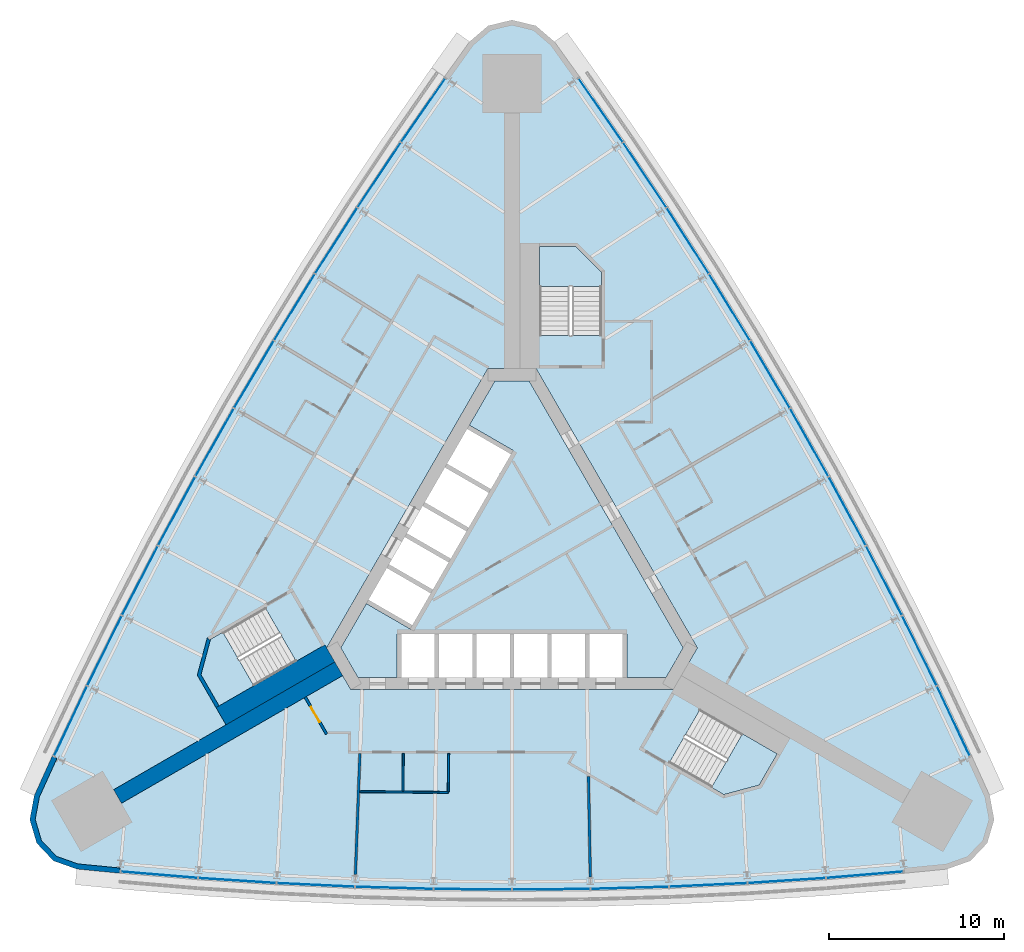
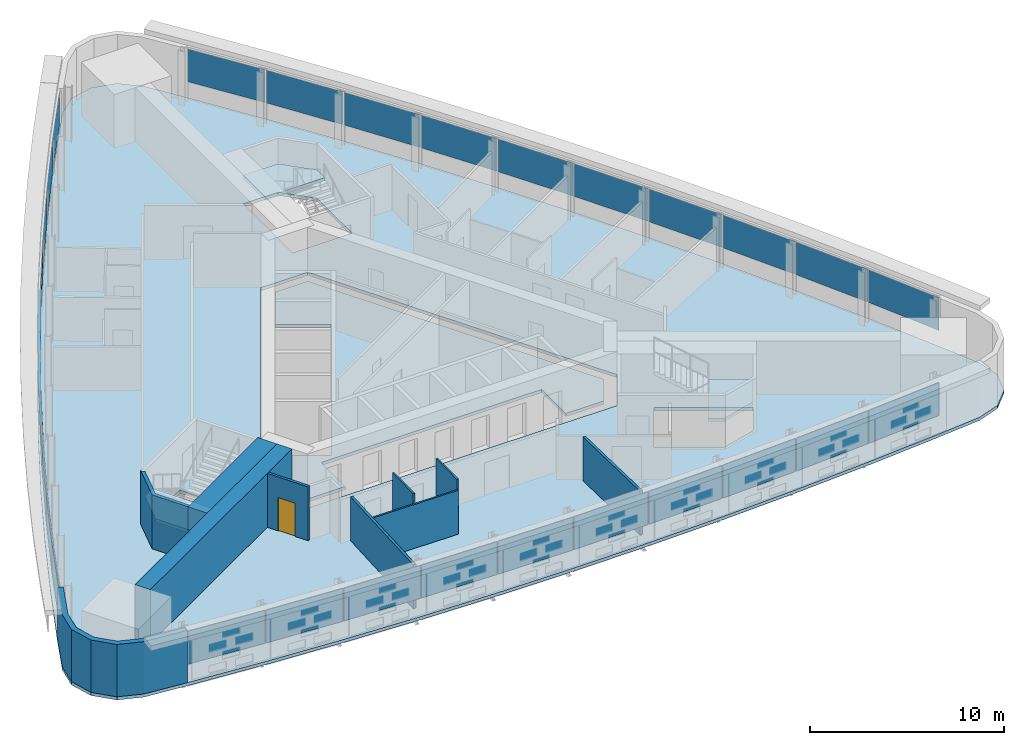
# One storey, part 9 of 15: 30 plates, 10 walls, 5 slabs, 1 door, 1 opening, 6 elements without a shape of their own.
"""IFC4 building model written with IfcOpenShell, lengths in metres."""

import ifcopenshell
import ifcopenshell.guid

model = None  # the IFC model being written
_history = None  # IfcOwnerHistory: only IFC2X3 demands one
_inside = {}  # id of a spatial element -> (the spatial element, [elements in it])
_under = {}  # id of a project, library or spatial element -> (it, [spatial elements below it])
_declared = {}  # id of a project -> (the project, [libraries it declares])
_typed = {}  # id of a type object -> (the type object, [elements of that type])
_made_of = {}  # id of a material, layer set ... -> (it, [elements and type objects made of it])


def new_model(schema):
    """Start an empty IFC model of exactly this schema.

    Asked for "IFC4X3", IfcOpenShell would pick the latest addendum, in which some entities
    have other attributes; the version numbers below select the first issue.
    IFC2X3 requires an IfcOwnerHistory on every rooted entity: one is made here for all.
    """
    global model, _history
    if schema == "IFC4X3":
        model = ifcopenshell.file(schema_version=(4, 3, 0, 0))
    else:
        model = ifcopenshell.file(schema=schema)
    _inside.clear()
    _under.clear()
    _declared.clear()
    _typed.clear()
    _made_of.clear()
    _history = None
    if model.schema == "IFC2X3":
        org = make("IfcOrganization", Name="unknown")
        user = make(
            "IfcPersonAndOrganization",
            ThePerson=make("IfcPerson", FamilyName="unknown"),
            TheOrganization=org,
        )
        app = make(
            "IfcApplication",
            ApplicationDeveloper=org,
            Version="unknown",
            ApplicationFullName="unknown",
            ApplicationIdentifier="unknown",
        )
        _history = make(
            "IfcOwnerHistory",
            OwningUser=user,
            OwningApplication=app,
            ChangeAction="ADDED",
            CreationDate=0,
        )
    return model


def make(cls, **values):
    """One entity of the class cls with the attributes given. An attribute that is None is left unset."""
    return model.create_entity(
        cls, **{name: value for name, value in values.items() if value is not None}
    )


def rooted(cls, **values):
    """An entity with a GlobalId (a new one), such as an element, a storey or a relation."""
    return make(cls, GlobalId=ifcopenshell.guid.new(), OwnerHistory=_history, **values)


def si_unit(unit_type, name, prefix=None):
    """IfcSIUnit, for example si_unit("LENGTHUNIT", "METRE", prefix="MILLI")."""
    return make("IfcSIUnit", UnitType=unit_type, Prefix=prefix, Name=name)


def assignment(units):
    """IfcUnitAssignment: the units of a project."""
    return None if units is None else make("IfcUnitAssignment", Units=units)


def point(xyz):
    """IfcCartesianPoint."""
    return None if xyz is None else make("IfcCartesianPoint", Coordinates=xyz)


def direction(xyz):
    """IfcDirection."""
    return None if xyz is None else make("IfcDirection", DirectionRatios=xyz)


def frame(location, z_axis=None, x_axis=None):
    """IfcAxis2Placement3D, a coordinate frame: its origin and axes. An axis left out is left unset."""
    return make(
        "IfcAxis2Placement3D",
        Location=point(location),
        Axis=direction(z_axis),
        RefDirection=direction(x_axis),
    )


def frame_2d(location, x_axis=None):
    """IfcAxis2Placement2D, a coordinate frame in the plane: its origin and x axis."""
    return make(
        "IfcAxis2Placement2D", Location=point(location), RefDirection=direction(x_axis)
    )


def origin():
    """The frame at (0, 0, 0) with its axes left unset."""
    return frame((0.0, 0.0, 0.0))


def origin_2d():
    """The frame at (0, 0) in the plane with its x axis left unset."""
    return frame_2d((0.0, 0.0))


def place(relative_to, where):
    """IfcLocalPlacement: puts the frame where relative to a parent placement (None: the world)."""
    return make(
        "IfcLocalPlacement", PlacementRelTo=relative_to, RelativePlacement=where
    )


def context(
    kind, dimensions, precision=None, world=None, true_north=None, identifier=None
):
    """IfcGeometricRepresentationContext, for example the 3D "Model" context."""
    return make(
        "IfcGeometricRepresentationContext",
        ContextIdentifier=identifier,
        ContextType=kind,
        CoordinateSpaceDimension=dimensions,
        Precision=precision,
        WorldCoordinateSystem=world,
        TrueNorth=true_north,
    )


def subcontext(parent, identifier, kind, view, scale=None):
    """IfcGeometricRepresentationSubContext, for example "Body" below "Model"."""
    return make(
        "IfcGeometricRepresentationSubContext",
        ContextIdentifier=identifier,
        ContextType=kind,
        ParentContext=parent,
        TargetScale=scale,
        TargetView=view,
    )


def project(units=None, contexts=None):
    """IfcProject with its units and contexts."""
    return rooted(
        "IfcProject",
        Name="project",
        RepresentationContexts=contexts,
        UnitsInContext=assignment(units),
    )


def spatial(cls, under=None, at=None, **own):
    """A site, building, storey or space (cls), placed at a placement, below another one or the project."""
    s = rooted(cls, ObjectPlacement=at, **own)
    if under is not None:
        _under.setdefault(under.id(), (under, []))[1].append(s)
    return s


def polyline(points):
    """IfcPolyline through the points."""
    return make("IfcPolyline", Points=[point(p) for p in points])


def profile(cls, at=None, kind="AREA", **sizes):
    """A parametric profile (cls). Its sizes go by their IFC names, for example OverallWidth=200.0."""
    return make(cls, ProfileType=kind, Position=at, **sizes)


def rectangle(**sizes):
    """IfcRectangleProfileDef."""
    return profile("IfcRectangleProfileDef", **sizes)


def outline(outer, holes=None, kind="AREA"):
    """IfcArbitraryClosedProfileDef: a profile drawn as a closed curve; with holes, ...WithVoids."""
    if holes is None:
        return make("IfcArbitraryClosedProfileDef", ProfileType=kind, OuterCurve=outer)
    return make(
        "IfcArbitraryProfileDefWithVoids",
        ProfileType=kind,
        OuterCurve=outer,
        InnerCurves=holes,
    )


def extrude(swept, where, along, depth):
    """IfcExtrudedAreaSolid: the profile swept, set in the frame where, extruded along a direction by depth."""
    return make(
        "IfcExtrudedAreaSolid",
        SweptArea=swept,
        Position=where,
        ExtrudedDirection=direction(along),
        Depth=depth,
    )


def shape(context_of_items, identifier, shape_type, items):
    """IfcShapeRepresentation: the items that make up one representation, for example the "Body"."""
    return make(
        "IfcShapeRepresentation",
        ContextOfItems=context_of_items,
        RepresentationIdentifier=identifier,
        RepresentationType=shape_type,
        Items=items,
    )


def material(Name=None, Category=None):
    """IfcMaterial."""
    return make("IfcMaterial", Name=Name, Category=Category)


def layer(
    of_material, thickness, ventilated=None, Name=None, Category=None, Priority=None
):
    """IfcMaterialLayer: one layer of a wall or slab, of a material (None: an air gap)."""
    return make(
        "IfcMaterialLayer",
        Material=of_material,
        LayerThickness=thickness,
        IsVentilated=ventilated,
        Name=Name,
        Category=Category,
        Priority=Priority,
    )


def layer_set(layers, Name=None):
    """IfcMaterialLayerSet."""
    return make("IfcMaterialLayerSet", MaterialLayers=layers, LayerSetName=Name)


def made_of(thing, what):
    """Note that an element or type object is made of a material, layer set ...; save() writes the relation."""
    if what is not None:
        _made_of.setdefault(what.id(), (what, []))[1].append(thing)
    return thing


def type_object(cls, material=None, **own):
    """A type object (cls), such as IfcWallType, which elements share."""
    return made_of(rooted(cls, **own), material)


def element(
    cls,
    number,
    at=None,
    inside=None,
    cuts=None,
    type_object=None,
    material=None,
    context=None,
    identifier="Body",
    shape_type=None,
    held_by="IfcProductDefinitionShape",
    body=None,
    shapes=None,
    **own,
):
    """One element of the class cls, such as IfcWall. Its Tag is "e" and its number.

    at: its placement. inside: the storey or other place that contains it. cuts: it is an
    opening in that element (IfcRelVoidsElement). A single representation is given by context,
    identifier, shape_type and body (its items); several are given by shapes. held_by: the class
    of the entity that holds the representations. save() writes the other relations.
    """
    e = rooted(cls, Tag="e%d" % number, ObjectPlacement=at, **own)
    if body is not None:
        shapes = [shape(context, identifier, shape_type, body)]
    if shapes is not None:
        e.Representation = make(held_by, Representations=shapes)
    if inside is not None:
        _inside.setdefault(inside.id(), (inside, []))[1].append(e)
    if cuts is not None:
        rooted(
            "IfcRelVoidsElement", RelatingBuildingElement=cuts, RelatedOpeningElement=e
        )
    if type_object is not None:
        _typed.setdefault(type_object.id(), (type_object, []))[1].append(e)
    return made_of(e, material)


def fill(opening, filler):
    """IfcRelFillsElement: the door or window that sits in an opening."""
    return rooted(
        "IfcRelFillsElement",
        RelatingOpeningElement=opening,
        RelatedBuildingElement=filler,
    )


def aggregate(whole, parts):
    """IfcRelAggregates: a whole, such as a stair, and the parts it consists of."""
    return rooted("IfcRelAggregates", RelatingObject=whole, RelatedObjects=parts)


def save(model, path):
    """Write the relations noted so far, then the file.

    IfcRelAggregates (storeys below a building ...), IfcRelContainedInSpatialStructure (elements
    in a storey), IfcRelDefinesByType, IfcRelAssociatesMaterial and IfcRelDeclares: one each for
    every whole, place, type object, material and project.
    """
    for whole, parts in _under.values():
        aggregate(whole, parts)
    for where, things in _inside.values():
        rooted(
            "IfcRelContainedInSpatialStructure",
            RelatedElements=things,
            RelatingStructure=where,
        )
    for kind, things in _typed.values():
        rooted("IfcRelDefinesByType", RelatedObjects=things, RelatingType=kind)
    for what, things in _made_of.values():
        rooted("IfcRelAssociatesMaterial", RelatedObjects=things, RelatingMaterial=what)
    for by, libraries in _declared.values():
        rooted("IfcRelDeclares", RelatingContext=by, RelatedDefinitions=libraries)
    model.write(path)


model = new_model("IFC4")

# Units and contexts
model_context = context("Model", 3, precision=1e-05, world=origin(), true_north=direction((0.0, 1.0)))
body_context = subcontext(model_context, "Body", "Model", "MODEL_VIEW")
ifc_project = project(units=[si_unit("LENGTHUNIT", "METRE"), si_unit("AREAUNIT", "SQUARE_METRE"), si_unit("VOLUMEUNIT", "CUBIC_METRE"), si_unit("PLANEANGLEUNIT", "RADIAN"), si_unit("MASSUNIT", "GRAM", prefix="KILO")], contexts=[model_context])

# Site, building, storey
site_placement = place(None, origin())
site = spatial("IfcSite", under=ifc_project, at=site_placement, CompositionType="ELEMENT")
building_placement = place(site_placement, origin())
building = spatial("IfcBuilding", under=site, at=building_placement, Name="Noor Cloister Tower", CompositionType="ELEMENT")
storey_placement = place(building_placement, frame((0.0, 0.0, 27.60009765625)))
storey = spatial("IfcBuildingStorey", under=building, at=storey_placement, Name="L06", CompositionType="ELEMENT", Elevation=27.60009765625)

# Slabs
ifc_material_1 = material(Name="Concrete C40/50", Category="concrete")
ifc_layer_1 = layer(ifc_material_1, 0.199951171875)
ifc_layer_set_1 = layer_set([ifc_layer_1], Name="Core floor slab 200 C40/50")
slab_type_1 = type_object("IfcSlabType", Name="Core floor slab 200 C40/50", PredefinedType="FLOOR", material=ifc_layer_set_1)
slab_1_placement = place(storey_placement, frame((0.0, 0.0, -0.2001953125)))
element("IfcSlab", 1, at=slab_1_placement, inside=storey, type_object=slab_type_1, Name="Core floor L06", PredefinedType="FLOOR", context=body_context, shape_type="SweptSolid", body=[
    extrude(outline(polyline([(-6.574951171875, -6.228271484375), (-6.574951171875, -3.728271484375), (6.574951171875, -3.728271484375), (6.574951171875, -6.228271484375), (8.82470703125, -6.228271484375), (9.80615234375, -4.5283203125), (0.9814453125, 10.75634765625), (-0.9814453125, 10.75634765625), (-2.44384765625, 8.2236328125), (0.067626953125, 6.773681640625), (-5.832275390625, -3.4453125), (-8.34375, -1.995361328125), (-9.80615234375, -4.5283203125), (-8.82470703125, -6.228271484375), (-6.574951171875, -6.228271484375)])), origin(), (0.0, 0.0, 1.0), 0.2001953125),
])
ifc_material_2 = material(Name="Concrete C40/50", Category="concrete")
ifc_layer_2 = layer(ifc_material_2, 0.199951171875)
ifc_layer_set_2 = layer_set([ifc_layer_2], Name="Floor slab 200 C40/50")
slab_type_2 = type_object("IfcSlabType", Name="Floor slab 200 C40/50", PredefinedType="FLOOR", material=ifc_layer_set_2)
slab_2_placement = place(storey_placement, frame((0.0, 0.0, -0.2001953125)))
element("IfcSlab", 2, at=slab_2_placement, inside=storey, type_object=slab_type_2, Name="Floor slab L06", PredefinedType="FLOOR", context=body_context, shape_type="SweptSolid", body=[
    extrude(outline(polyline([(2.43017578125, 30.188232421875), (1.3642578125, 31.100830078125), (0.0, 31.428955078125), (-1.3642578125, 31.100830078125), (-2.43017578125, 30.188232421875), (-3.869873046875, 28.177734375), (-6.43701171875, 24.48193359375), (-8.93505859375, 20.739013671875), (-11.36328125, 16.950439453125), (-13.720947265625, 13.11767578125), (-16.0068359375, 9.24169921875), (-18.220703125, 5.32373046875), (-20.361328125, 1.36572265625), (-22.42822265625, -2.631591796875), (-24.42041015625, -6.66650390625), (-26.337646484375, -10.737548828125), (-27.35888671875, -12.989501953125), (-27.6162109375, -14.368896484375), (-27.21826171875, -15.714599609375), (-26.251953125, -16.73193359375), (-24.9287109375, -17.19873046875), (-22.4677734375, -17.440185546875), (-17.9833984375, -17.8154296875), (-13.492919921875, -18.107421875), (-8.998046875, -18.316162109375), (-4.499755859375, -18.44140625), (0.0, -18.483154296875), (4.499755859375, -18.44140625), (8.998046875, -18.316162109375), (13.492919921875, -18.107421875), (17.9833984375, -17.8154296875), (22.4677734375, -17.440185546875), (24.9287109375, -17.19873046875), (26.251953125, -16.73193359375), (27.21826171875, -15.714599609375), (27.6162109375, -14.368896484375), (27.35888671875, -12.989501953125), (26.337646484375, -10.737548828125), (24.42041015625, -6.66650390625), (22.42822265625, -2.631591796875), (20.361328125, 1.36572265625), (18.220703125, 5.32373046875), (16.0068359375, 9.24169921875), (13.720947265625, 13.11767578125), (11.36328125, 16.950439453125), (8.93505859375, 20.739013671875), (6.43701171875, 24.48193359375), (3.869873046875, 28.177734375), (2.43017578125, 30.188232421875)]), holes=[polyline([(8.999755859375, -11.126220703125), (12.131591796875, -12.934326171875), (14.1572265625, -12.3916015625), (15.19091796875, -10.601318359375), (10.774658203125, -8.0517578125), (8.999755859375, -11.126220703125)]), polyline([(-17.81005859375, -6.064697265625), (-16.776611328125, -7.85498046875), (-12.3603515625, -5.305419921875), (-14.13525390625, -2.23095703125), (-16.662841796875, -3.690185546875), (-17.267333984375, -4.039306640625), (-17.81005859375, -6.064697265625)]), polyline([(-10.6142578125, -4.5283203125), (-9.228759765625, -6.92822265625), (9.228759765625, -6.92822265625), (10.6142578125, -4.5283203125), (1.3857421875, 11.456298828125), (-1.3857421875, 11.456298828125), (-10.6142578125, -4.5283203125)]), polyline([(3.65283203125, 18.456298828125), (1.585693359375, 18.456298828125), (1.585693359375, 13.35693359375), (5.135498046875, 13.35693359375), (5.135498046875, 16.9736328125), (3.65283203125, 18.456298828125)])]), origin(), (0.0, 0.0, 1.0), 0.2001953125),
])

# Curtain wall, plates
ifc_material_3 = material(Name="Aluminium 6063-T6 anodised", Category="aluminium")
curtain_wall_type = type_object("IfcCurtainWallType", Name="Ribbon curtain wall, lower tower CW1", PredefinedType="NOTDEFINED", material=ifc_material_3)
curtain_wall_1_placement = place(storey_placement, origin())
curtain_wall_1 = element("IfcCurtainWall", 3, at=curtain_wall_1_placement, inside=storey, type_object=curtain_wall_type, Name="CW1 L06 NW run 1", PredefinedType="NOTDEFINED")
ifc_material_4 = material(Name="Clear laminated glass 2 x 8 mm", Category="glass")
ifc_layer_3 = layer(ifc_material_4, 0.028076171875)
ifc_layer_set_3 = layer_set([ifc_layer_3], Name="Glass panel CW1")
plate_type = type_object("IfcPlateType", Name="Glass panel CW1", PredefinedType="CURTAIN_PANEL", material=ifc_layer_set_3)
plate_1_placement = place(storey_placement, frame((-5.08251953125, 26.2568359375, 1.08984375), z_axis=(0.0, 0.0, 1.0), x_axis=(-0.570480940369, -0.821310840472, 0.0)))
plate_1 = element("IfcPlate", 4, at=plate_1_placement, type_object=plate_type, Name="CW1 glass panel 1", PredefinedType="CURTAIN_PANEL", context=body_context, shape_type="SweptSolid", body=[
    extrude(rectangle(XDim=4.39892578125, YDim=0.028076171875, at=origin_2d()), origin(), (0.0, 0.0, 1.0), 2.070068359375),
])
plate_2_placement = place(storey_placement, frame((-7.602783203125, 22.554931640625, 1.08984375), z_axis=(0.0, 0.0, 1.0), x_axis=(-0.555145107409, -0.831753515003, 0.0)))
plate_2 = element("IfcPlate", 5, at=plate_2_placement, type_object=plate_type, Name="CW1 glass panel 2", PredefinedType="CURTAIN_PANEL", context=body_context, shape_type="SweptSolid", body=[
    extrude(rectangle(XDim=4.43798828125, YDim=0.028076171875, at=origin_2d()), origin(), (0.0, 0.0, 1.0), 2.070068359375),
])
plate_3_placement = place(storey_placement, frame((-10.06494140625, 18.790771484375, 1.08984375), z_axis=(0.0, 0.0, 1.0), x_axis=(-0.539618172839, -0.841909869013, 0.0)))
plate_3 = element("IfcPlate", 6, at=plate_3_placement, type_object=plate_type, Name="CW1 glass panel 3", PredefinedType="CURTAIN_PANEL", context=body_context, shape_type="SweptSolid", body=[
    extrude(rectangle(XDim=4.43798828125, YDim=0.028076171875, at=origin_2d()), origin(), (0.0, 0.0, 1.0), 2.070068359375),
])
plate_4_placement = place(storey_placement, frame((-12.45703125, 14.981689453125, 1.08984375), z_axis=(0.0, 0.0, 1.0), x_axis=(-0.523905481608, -0.851776406307, 0.0)))
plate_4 = element("IfcPlate", 7, at=plate_4_placement, type_object=plate_type, Name="CW1 glass panel 4", PredefinedType="CURTAIN_PANEL", context=body_context, shape_type="SweptSolid", body=[
    extrude(rectangle(XDim=4.43798828125, YDim=0.028076171875, at=origin_2d()), origin(), (0.0, 0.0, 1.0), 2.070068359375),
])
plate_5_placement = place(storey_placement, frame((-14.77783203125, 11.12890625, 1.08984375), z_axis=(0.0, 0.0, 1.0), x_axis=(-0.508012442607, -0.861349730456, 0.0)))
plate_5 = element("IfcPlate", 8, at=plate_5_placement, type_object=plate_type, Name="CW1 glass panel 5", PredefinedType="CURTAIN_PANEL", context=body_context, shape_type="SweptSolid", body=[
    extrude(rectangle(XDim=4.43798828125, YDim=0.028076171875, at=origin_2d()), origin(), (0.0, 0.0, 1.0), 2.070068359375),
])
plate_6_placement = place(storey_placement, frame((-17.026611328125, 7.2333984375, 1.08984375), z_axis=(0.0, 0.0, 1.0), x_axis=(-0.491944526814, -0.870626545964, 0.0)))
plate_6 = element("IfcPlate", 9, at=plate_6_placement, type_object=plate_type, Name="CW1 glass panel 6", PredefinedType="CURTAIN_PANEL", context=body_context, shape_type="SweptSolid", body=[
    extrude(rectangle(XDim=4.43798828125, YDim=0.028076171875, at=origin_2d()), origin(), (0.0, 0.0, 1.0), 2.070068359375),
])
plate_7_placement = place(storey_placement, frame((-19.202880859375, 3.297119140625, 1.08984375), z_axis=(0.0, 0.0, 1.0), x_axis=(-0.475707265402, -0.879603659408, 0.0)))
plate_7 = element("IfcPlate", 10, at=plate_7_placement, type_object=plate_type, Name="CW1 glass panel 7", PredefinedType="CURTAIN_PANEL", context=body_context, shape_type="SweptSolid", body=[
    extrude(rectangle(XDim=4.43798828125, YDim=0.028076171875, at=origin_2d()), origin(), (0.0, 0.0, 1.0), 2.070068359375),
])
plate_8_placement = place(storey_placement, frame((-21.305908203125, -0.678955078125, 1.08984375), z_axis=(0.0, 0.0, 1.0), x_axis=(-0.459306247842, -0.888277980529, 0.0)))
plate_8 = element("IfcPlate", 11, at=plate_8_placement, type_object=plate_type, Name="CW1 glass panel 8", PredefinedType="CURTAIN_PANEL", context=body_context, shape_type="SweptSolid", body=[
    extrude(rectangle(XDim=4.43798828125, YDim=0.028076171875, at=origin_2d()), origin(), (0.0, 0.0, 1.0), 2.070068359375),
])
plate_9_placement = place(storey_placement, frame((-23.334716796875, -4.693359375, 1.08984375), z_axis=(0.0, 0.0, 1.0), x_axis=(-0.442747119975, -0.896646523305, 0.0)))
plate_9 = element("IfcPlate", 12, at=plate_9_placement, type_object=plate_type, Name="CW1 glass panel 9", PredefinedType="CURTAIN_PANEL", context=body_context, shape_type="SweptSolid", body=[
    extrude(rectangle(XDim=4.43798828125, YDim=0.028076171875, at=origin_2d()), origin(), (0.0, 0.0, 1.0), 2.070068359375),
])
plate_10_placement = place(storey_placement, frame((-25.2802734375, -8.726806640625, 1.08984375), z_axis=(0.0, 0.0, 1.0), x_axis=(-0.426035582068, -0.90470640697, 0.0)))
plate_10 = element("IfcPlate", 13, at=plate_10_placement, type_object=plate_type, Name="CW1 glass panel 10", PredefinedType="CURTAIN_PANEL", context=body_context, shape_type="SweptSolid", body=[
    extrude(rectangle(XDim=4.39892578125, YDim=0.028076171875, at=origin_2d()), origin(), (0.0, 0.0, 1.0), 2.070068359375),
])
aggregate(curtain_wall_1, [plate_1, plate_2, plate_3, plate_4, plate_5, plate_6, plate_7, plate_8, plate_9, plate_10])

curtain_wall_2_placement = place(storey_placement, origin())
curtain_wall_2 = element("IfcCurtainWall", 14, at=curtain_wall_2_placement, inside=storey, type_object=curtain_wall_type, Name="CW1 L06 S run 2", PredefinedType="NOTDEFINED")
plate_11_placement = place(storey_placement, frame((-20.19775390625, -17.52978515625, 1.08984375), z_axis=(0.0, 0.0, 1.0), x_axis=(0.996516522436, -0.083395566498, 0.0)))
plate_11 = element("IfcPlate", 15, at=plate_11_placement, type_object=plate_type, Name="CW1 glass panel 1", PredefinedType="CURTAIN_PANEL", context=body_context, shape_type="SweptSolid", body=[
    extrude(rectangle(XDim=4.39892578125, YDim=0.028076171875, at=origin_2d()), origin(), (0.0, 0.0, 1.0), 2.070068359375),
])
plate_12_placement = place(storey_placement, frame((-15.731689453125, -17.86181640625, 1.08984375), z_axis=(0.0, 0.0, 1.0), x_axis=(0.997892227384, -0.064893008302, 0.0)))
plate_12 = element("IfcPlate", 16, at=plate_12_placement, type_object=plate_type, Name="CW1 glass panel 2", PredefinedType="CURTAIN_PANEL", context=body_context, shape_type="SweptSolid", body=[
    extrude(rectangle(XDim=4.43798828125, YDim=0.028076171875, at=origin_2d()), origin(), (0.0, 0.0, 1.0), 2.070068359375),
])
plate_13_placement = place(storey_placement, frame((-11.240966796875, -18.112060546875, 1.08984375), z_axis=(0.0, 0.0, 1.0), x_axis=(0.998924420682, -0.046368111516, 0.0)))
plate_13 = element("IfcPlate", 17, at=plate_13_placement, type_object=plate_type, Name="CW1 glass panel 3", PredefinedType="CURTAIN_PANEL", context=body_context, shape_type="SweptSolid", body=[
    extrude(rectangle(XDim=4.43798828125, YDim=0.028076171875, at=origin_2d()), origin(), (0.0, 0.0, 1.0), 2.070068359375),
])
plate_14_placement = place(storey_placement, frame((-6.74609375, -18.27880859375, 1.08984375), z_axis=(0.0, 0.0, 1.0), x_axis=(0.99961274701, -0.027827253101, 0.0)))
plate_14 = element("IfcPlate", 18, at=plate_14_placement, type_object=plate_type, Name="CW1 glass panel 4", PredefinedType="CURTAIN_PANEL", context=body_context, shape_type="SweptSolid", body=[
    extrude(rectangle(XDim=4.43798828125, YDim=0.028076171875, at=origin_2d()), origin(), (0.0, 0.0, 1.0), 2.070068359375),
])
plate_15_placement = place(storey_placement, frame((-2.2490234375, -18.3623046875, 1.08984375), z_axis=(0.0, 0.0, 1.0), x_axis=(0.999956969421, -0.009276815509, 0.0)))
plate_15 = element("IfcPlate", 19, at=plate_15_placement, type_object=plate_type, Name="CW1 glass panel 5", PredefinedType="CURTAIN_PANEL", context=body_context, shape_type="SweptSolid", body=[
    extrude(rectangle(XDim=4.43798828125, YDim=0.028076171875, at=origin_2d()), origin(), (0.0, 0.0, 1.0), 2.070068359375),
])
plate_16_placement = place(storey_placement, frame((2.2490234375, -18.3623046875, 1.08984375), z_axis=(0.0, 0.0, 1.0), x_axis=(0.999956969421, 0.009276815509, 0.0)))
plate_16 = element("IfcPlate", 20, at=plate_16_placement, type_object=plate_type, Name="CW1 glass panel 6", PredefinedType="CURTAIN_PANEL", context=body_context, shape_type="SweptSolid", body=[
    extrude(rectangle(XDim=4.43798828125, YDim=0.028076171875, at=origin_2d()), origin(), (0.0, 0.0, 1.0), 2.070068359375),
])
plate_17_placement = place(storey_placement, frame((6.74609375, -18.27880859375, 1.08984375), z_axis=(0.0, 0.0, 1.0), x_axis=(0.99961274701, 0.027827253101, 0.0)))
plate_17 = element("IfcPlate", 21, at=plate_17_placement, type_object=plate_type, Name="CW1 glass panel 7", PredefinedType="CURTAIN_PANEL", context=body_context, shape_type="SweptSolid", body=[
    extrude(rectangle(XDim=4.43798828125, YDim=0.028076171875, at=origin_2d()), origin(), (0.0, 0.0, 1.0), 2.070068359375),
])
plate_18_placement = place(storey_placement, frame((11.240966796875, -18.112060546875, 1.08984375), z_axis=(0.0, 0.0, 1.0), x_axis=(0.998924420682, 0.046368111516, 0.0)))
plate_18 = element("IfcPlate", 22, at=plate_18_placement, type_object=plate_type, Name="CW1 glass panel 8", PredefinedType="CURTAIN_PANEL", context=body_context, shape_type="SweptSolid", body=[
    extrude(rectangle(XDim=4.43798828125, YDim=0.028076171875, at=origin_2d()), origin(), (0.0, 0.0, 1.0), 2.070068359375),
])
plate_19_placement = place(storey_placement, frame((15.731689453125, -17.86181640625, 1.08984375), z_axis=(0.0, 0.0, 1.0), x_axis=(0.997892227384, 0.064893008302, 0.0)))
plate_19 = element("IfcPlate", 23, at=plate_19_placement, type_object=plate_type, Name="CW1 glass panel 9", PredefinedType="CURTAIN_PANEL", context=body_context, shape_type="SweptSolid", body=[
    extrude(rectangle(XDim=4.43798828125, YDim=0.028076171875, at=origin_2d()), origin(), (0.0, 0.0, 1.0), 2.070068359375),
])
plate_20_placement = place(storey_placement, frame((20.19775390625, -17.52978515625, 1.08984375), z_axis=(0.0, 0.0, 1.0), x_axis=(0.996516522436, 0.083395566498, 0.0)))
plate_20 = element("IfcPlate", 24, at=plate_20_placement, type_object=plate_type, Name="CW1 glass panel 10", PredefinedType="CURTAIN_PANEL", context=body_context, shape_type="SweptSolid", body=[
    extrude(rectangle(XDim=4.39892578125, YDim=0.028076171875, at=origin_2d()), origin(), (0.0, 0.0, 1.0), 2.070068359375),
])
aggregate(curtain_wall_2, [plate_11, plate_12, plate_13, plate_14, plate_15, plate_16, plate_17, plate_18, plate_19, plate_20])

curtain_wall_3_placement = place(storey_placement, origin())
curtain_wall_3 = element("IfcCurtainWall", 25, at=curtain_wall_3_placement, inside=storey, type_object=curtain_wall_type, Name="CW1 L06 NE run 3", PredefinedType="NOTDEFINED")
plate_21_placement = place(storey_placement, frame((25.2802734375, -8.726806640625, 1.08984375), z_axis=(0.0, 0.0, 1.0), x_axis=(-0.426035582068, 0.90470640697, 0.0)))
plate_21 = element("IfcPlate", 26, at=plate_21_placement, type_object=plate_type, Name="CW1 glass panel 1", PredefinedType="CURTAIN_PANEL", context=body_context, shape_type="SweptSolid", body=[
    extrude(rectangle(XDim=4.39892578125, YDim=0.028076171875, at=origin_2d()), origin(), (0.0, 0.0, 1.0), 2.070068359375),
])
plate_22_placement = place(storey_placement, frame((23.334716796875, -4.693359375, 1.08984375), z_axis=(0.0, 0.0, 1.0), x_axis=(-0.442747119975, 0.896646523305, 0.0)))
plate_22 = element("IfcPlate", 27, at=plate_22_placement, type_object=plate_type, Name="CW1 glass panel 2", PredefinedType="CURTAIN_PANEL", context=body_context, shape_type="SweptSolid", body=[
    extrude(rectangle(XDim=4.43798828125, YDim=0.028076171875, at=origin_2d()), origin(), (0.0, 0.0, 1.0), 2.070068359375),
])
plate_23_placement = place(storey_placement, frame((21.305908203125, -0.678955078125, 1.08984375), z_axis=(0.0, 0.0, 1.0), x_axis=(-0.459306247842, 0.888277980529, 0.0)))
plate_23 = element("IfcPlate", 28, at=plate_23_placement, type_object=plate_type, Name="CW1 glass panel 3", PredefinedType="CURTAIN_PANEL", context=body_context, shape_type="SweptSolid", body=[
    extrude(rectangle(XDim=4.43798828125, YDim=0.028076171875, at=origin_2d()), origin(), (0.0, 0.0, 1.0), 2.070068359375),
])
plate_24_placement = place(storey_placement, frame((19.202880859375, 3.297119140625, 1.08984375), z_axis=(0.0, 0.0, 1.0), x_axis=(-0.475707265402, 0.879603659408, 0.0)))
plate_24 = element("IfcPlate", 29, at=plate_24_placement, type_object=plate_type, Name="CW1 glass panel 4", PredefinedType="CURTAIN_PANEL", context=body_context, shape_type="SweptSolid", body=[
    extrude(rectangle(XDim=4.43798828125, YDim=0.028076171875, at=origin_2d()), origin(), (0.0, 0.0, 1.0), 2.070068359375),
])
plate_25_placement = place(storey_placement, frame((17.026611328125, 7.2333984375, 1.08984375), z_axis=(0.0, 0.0, 1.0), x_axis=(-0.491944526814, 0.870626545964, 0.0)))
plate_25 = element("IfcPlate", 30, at=plate_25_placement, type_object=plate_type, Name="CW1 glass panel 5", PredefinedType="CURTAIN_PANEL", context=body_context, shape_type="SweptSolid", body=[
    extrude(rectangle(XDim=4.43798828125, YDim=0.028076171875, at=origin_2d()), origin(), (0.0, 0.0, 1.0), 2.070068359375),
])
plate_26_placement = place(storey_placement, frame((14.77783203125, 11.12890625, 1.08984375), z_axis=(0.0, 0.0, 1.0), x_axis=(-0.508012442607, 0.861349730456, 0.0)))
plate_26 = element("IfcPlate", 31, at=plate_26_placement, type_object=plate_type, Name="CW1 glass panel 6", PredefinedType="CURTAIN_PANEL", context=body_context, shape_type="SweptSolid", body=[
    extrude(rectangle(XDim=4.43798828125, YDim=0.028076171875, at=origin_2d()), origin(), (0.0, 0.0, 1.0), 2.070068359375),
])
plate_27_placement = place(storey_placement, frame((12.45703125, 14.981689453125, 1.08984375), z_axis=(0.0, 0.0, 1.0), x_axis=(-0.523905481608, 0.851776406307, 0.0)))
plate_27 = element("IfcPlate", 32, at=plate_27_placement, type_object=plate_type, Name="CW1 glass panel 7", PredefinedType="CURTAIN_PANEL", context=body_context, shape_type="SweptSolid", body=[
    extrude(rectangle(XDim=4.43798828125, YDim=0.028076171875, at=origin_2d()), origin(), (0.0, 0.0, 1.0), 2.070068359375),
])
plate_28_placement = place(storey_placement, frame((10.06494140625, 18.790771484375, 1.08984375), z_axis=(0.0, 0.0, 1.0), x_axis=(-0.539618172839, 0.841909869013, 0.0)))
plate_28 = element("IfcPlate", 33, at=plate_28_placement, type_object=plate_type, Name="CW1 glass panel 8", PredefinedType="CURTAIN_PANEL", context=body_context, shape_type="SweptSolid", body=[
    extrude(rectangle(XDim=4.43798828125, YDim=0.028076171875, at=origin_2d()), origin(), (0.0, 0.0, 1.0), 2.070068359375),
])
plate_29_placement = place(storey_placement, frame((7.602783203125, 22.554931640625, 1.08984375), z_axis=(0.0, 0.0, 1.0), x_axis=(-0.555145107409, 0.831753515003, 0.0)))
plate_29 = element("IfcPlate", 34, at=plate_29_placement, type_object=plate_type, Name="CW1 glass panel 9", PredefinedType="CURTAIN_PANEL", context=body_context, shape_type="SweptSolid", body=[
    extrude(rectangle(XDim=4.43798828125, YDim=0.028076171875, at=origin_2d()), origin(), (0.0, 0.0, 1.0), 2.070068359375),
])
plate_30_placement = place(storey_placement, frame((5.08251953125, 26.2568359375, 1.08984375), z_axis=(0.0, 0.0, 1.0), x_axis=(-0.570480940369, 0.821310840472, 0.0)))
plate_30 = element("IfcPlate", 35, at=plate_30_placement, type_object=plate_type, Name="CW1 glass panel 10", PredefinedType="CURTAIN_PANEL", context=body_context, shape_type="SweptSolid", body=[
    extrude(rectangle(XDim=4.39892578125, YDim=0.028076171875, at=origin_2d()), origin(), (0.0, 0.0, 1.0), 2.070068359375),
])
aggregate(curtain_wall_3, [plate_21, plate_22, plate_23, plate_24, plate_25, plate_26, plate_27, plate_28, plate_29, plate_30])

# Stair, slab
ifc_material_5 = material(Name="Concrete C40/50", Category="concrete")
stair_type = type_object("IfcStairType", Name="Exit stair 22 risers", PredefinedType="HALF_TURN_STAIR", material=ifc_material_5)
stair_1_placement = place(storey_placement, origin())
stair_1 = element("IfcStair", 36, at=stair_1_placement, inside=storey, type_object=stair_type, Name="Exit stair ST1 L06", PredefinedType="HALF_TURN_STAIR")
ifc_material_6 = material(Name="Concrete C40/50", Category="concrete")
ifc_layer_4 = layer(ifc_material_6, 0.199951171875)
ifc_layer_set_4 = layer_set([ifc_layer_4], Name="Stair landing 200 C40/50")
slab_type_3 = type_object("IfcSlabType", Name="Stair landing 200 C40/50", PredefinedType="LANDING", material=ifc_layer_set_4)
slab_3_placement = place(storey_placement, frame((0.0, 0.0, 1.599853515625)))
slab_3 = element("IfcSlab", 37, at=slab_3_placement, type_object=slab_type_3, Name="ST1 landing 1", PredefinedType="LANDING", context=body_context, shape_type="SweptSolid", body=[
    extrude(outline(polyline([(5.135498046875, 16.15576171875), (5.135498046875, 16.9736328125), (3.65283203125, 18.456298828125), (1.585693359375, 18.456298828125), (1.585693359375, 16.15576171875), (5.135498046875, 16.15576171875)])), origin(), (0.0, 0.0, 1.0), 0.199951171875),
])
aggregate(stair_1, [slab_3])

stair_2_placement = place(storey_placement, origin())
stair_2 = element("IfcStair", 38, at=stair_2_placement, inside=storey, type_object=stair_type, Name="Exit stair ST2 L06", PredefinedType="HALF_TURN_STAIR")
slab_4_placement = place(storey_placement, frame((0.0, 0.0, 1.599853515625)))
slab_4 = element("IfcSlab", 39, at=slab_4_placement, type_object=slab_type_3, Name="ST2 landing 1", PredefinedType="LANDING", context=body_context, shape_type="SweptSolid", body=[
    extrude(outline(polyline([(-16.55908203125, -3.63037109375), (-17.267333984375, -4.039306640625), (-17.81005859375, -6.064697265625), (-16.776611328125, -7.85498046875), (-14.7841796875, -6.70458984375), (-16.55908203125, -3.63037109375)])), origin(), (0.0, 0.0, 1.0), 0.199951171875),
])
aggregate(stair_2, [slab_4])

stair_3_placement = place(storey_placement, origin())
stair_3 = element("IfcStair", 40, at=stair_3_placement, inside=storey, type_object=stair_type, Name="Exit stair ST3 L06", PredefinedType="HALF_TURN_STAIR")
slab_5_placement = place(storey_placement, frame((0.0, 0.0, 1.599853515625)))
slab_5 = element("IfcSlab", 41, at=slab_5_placement, type_object=slab_type_3, Name="ST3 landing 1", PredefinedType="LANDING", context=body_context, shape_type="SweptSolid", body=[
    extrude(outline(polyline([(11.423583984375, -12.525390625), (12.131591796875, -12.934326171875), (14.1572265625, -12.3916015625), (15.19091796875, -10.601318359375), (13.198486328125, -9.451171875), (11.423583984375, -12.525390625)])), origin(), (0.0, 0.0, 1.0), 0.199951171875),
])
aggregate(stair_3, [slab_5])

# Wall
ifc_material_7 = material(Name="Concrete C80/95", Category="concrete")
ifc_layer_5 = layer(ifc_material_7, 0.89990234375)
ifc_layer_set_5 = layer_set([ifc_layer_5], Name="Buttress wall 900 C80/95")
wall_type_1 = type_object("IfcWallType", Name="Buttress wall 900 C80/95", PredefinedType="SHEAR", material=ifc_layer_set_5)
wall_1_placement = place(storey_placement, frame((-9.921630859375, -5.728271484375, -0.2001953125), z_axis=(0.0, 0.0, 1.0), x_axis=(-0.866028046028, -0.499995423472, 0.0)))
element("IfcWall", 42, at=wall_1_placement, inside=storey, type_object=wall_type_1, Name="Buttress wall SW L06", PredefinedType="SHEAR", context=body_context, shape_type="SweptSolid", body=[
    extrude(rectangle(XDim=14.632568359375, YDim=0.89990234375, at=frame_2d((7.31640625, 0.0))), origin(), (0.0, 0.0, 1.0), 3.60009765625),
])

# Wall, opening, door
ifc_material_8 = material(Name="Gypsum board partition on steel studs, 150 mm", Category="steel")
ifc_layer_6 = layer(ifc_material_8, 0.14990234375)
ifc_layer_set_6 = layer_set([ifc_layer_6], Name="Flat wall 150")
wall_type_2 = type_object("IfcWallType", Name="Flat wall 150", PredefinedType="PARTITIONING", material=ifc_layer_set_6)
wall_2_placement = place(storey_placement, frame((-10.6201171875, -9.46826171875, 0.0), z_axis=(0.0, 0.0, 1.0), x_axis=(-0.500045838785, 0.865998937132, 0.0)))
wall_2 = element("IfcWall", 43, at=wall_2_placement, inside=storey, type_object=wall_type_2, Name="Flat wall 150 L06 011", PredefinedType="PARTITIONING", context=body_context, shape_type="SweptSolid", body=[
    extrude(rectangle(XDim=2.439697265625, YDim=0.14990234375, at=frame_2d((1.2197265625, 0.0))), origin(), (0.0, 0.0, 1.0), 3.39990234375),
])
opening_placement = place(wall_2_placement, frame((0.794921875, 0.0, 0.0)))
opening = element("IfcOpeningElement", 44, at=opening_placement, cuts=wall_2, Name="Opening L06-013", PredefinedType="OPENING", context=body_context, shape_type="SweptSolid", body=[
    extrude(rectangle(XDim=1.0, YDim=2.10009765625, at=frame_2d((0.5, 1.050048828125))), frame((0.0, 0.0849609375, 0.0), z_axis=(0.0, -1.0, 0.0), x_axis=(1.0, 0.0, 0.0)), (0.0, 0.0, 1.0), 0.169921875),
])
ifc_material_9 = material(Name="Timber door leaf with steel frame", Category="steel")
door_type = type_object("IfcDoorType", Name="Interior door 1000 FD60", OperationType="NOTDEFINED", PredefinedType="DOOR", material=ifc_material_9)
door_placement = place(opening_placement, origin())
door = element("IfcDoor", 45, at=door_placement, inside=storey, type_object=door_type, Name="Interior door 1000 L06-013", OperationType="SINGLE_SWING_RIGHT", OverallHeight=2.10009765625, OverallWidth=1.0, PredefinedType="DOOR", context=body_context, shape_type="SweptSolid", body=[
    extrude(rectangle(XDim=1.0, YDim=2.10009765625, at=frame_2d((0.5, 1.050048828125))), frame((0.0, 0.02490234375, 0.0), z_axis=(0.0, -1.0, 0.0), x_axis=(1.0, 0.0, 0.0)), (0.0, 0.0, 1.0), 0.050048828125),
])
fill(opening, door)

# Walls
wall_3_placement = place(storey_placement, frame((-8.96826171875, -17.5166015625, 0.0), z_axis=(0.0, 0.0, 1.0), x_axis=(0.037111842783, 0.999311118284, 0.0)))
element("IfcWall", 46, at=wall_3_placement, inside=storey, type_object=wall_type_2, Name="Flat wall 150 L06 020", PredefinedType="PARTITIONING", context=body_context, shape_type="SweptSolid", body=[
    extrude(rectangle(XDim=6.9404296875, YDim=0.14990234375, at=frame_2d((3.47021484375, 0.0))), origin(), (0.0, 0.0, 1.0), 2.767822265625),
])
wall_4_placement = place(storey_placement, frame((4.48486328125, -17.6416015625, 0.0), z_axis=(0.0, 0.0, 1.0), x_axis=(-0.018565794352, 0.999827640786, 0.0)))
element("IfcWall", 47, at=wall_4_placement, inside=storey, type_object=wall_type_2, Name="Flat wall 150 L06 021", PredefinedType="PARTITIONING", context=body_context, shape_type="SweptSolid", body=[
    extrude(rectangle(XDim=5.7333984375, YDim=0.14990234375, at=frame_2d((2.86669921875, 0.0))), origin(), (0.0, 0.0, 1.0), 2.767822265625),
])
ifc_material_10 = material(Name="Limestone", Category="masonry")
ifc_layer_7 = layer(ifc_material_10, 0.300048828125)
ifc_layer_set_7 = layer_set([ifc_layer_7], Name="Limestone cladding 300")
wall_type_3 = type_object("IfcWallType", Name="Limestone cladding 300", PredefinedType="NOTDEFINED", material=ifc_layer_set_7)
wall_5_placement = place(storey_placement, origin())
element("IfcWall", 48, at=wall_5_placement, inside=storey, type_object=wall_type_3, Name="Limestone pier cladding L06 1.1", PredefinedType="NOTDEFINED", context=body_context, shape_type="SweptSolid", body=[
    extrude(outline(polyline([(-26.337646484375, -10.737548828125), (-27.35888671875, -12.989501953125), (-27.6162109375, -14.368896484375), (-27.21826171875, -15.714599609375), (-26.251953125, -16.73193359375), (-24.9287109375, -17.19873046875), (-22.4677734375, -17.440185546875), (-22.4384765625, -17.1416015625), (-24.863037109375, -16.903564453125), (-26.084228515625, -16.47314453125), (-26.951171875, -15.560302734375), (-27.30810546875, -14.35302734375), (-27.070556640625, -13.080322265625), (-26.064453125, -10.861328125), (-26.337646484375, -10.737548828125)])), origin(), (0.0, 0.0, 1.0), 3.2998046875),
])
ifc_material_11 = material(Name="Gypsum board partition on steel studs, 100 mm", Category="steel")
ifc_layer_8 = layer(ifc_material_11, 0.10009765625)
ifc_layer_set_8 = layer_set([ifc_layer_8], Name="Partition 100")
wall_type_4 = type_object("IfcWallType", Name="Partition 100", PredefinedType="PARTITIONING", material=ifc_layer_set_8)
wall_6_placement = place(storey_placement, frame((-8.71533203125, -12.76513671875, 0.0), z_axis=(0.0, 0.0, 1.0), x_axis=(0.999957193633, -0.00925261596, 0.0)))
element("IfcWall", 49, at=wall_6_placement, inside=storey, type_object=wall_type_4, Name="Partition 100 L06 026", PredefinedType="PARTITIONING", context=body_context, shape_type="SweptSolid", body=[
    extrude(rectangle(XDim=5.066162109375, YDim=0.10009765625, at=frame_2d((2.533203125, 0.0))), origin(), (0.0, 0.0, 1.0), 2.767822265625),
])
wall_7_placement = place(storey_placement, frame((-3.64892578125, -12.76220703125, 0.0), z_axis=(0.0, 0.0, 1.0), x_axis=(0.009279564663, 0.999956943913, 0.0)))
element("IfcWall", 50, at=wall_7_placement, inside=storey, type_object=wall_type_4, Name="Partition 100 L06 035", PredefinedType="PARTITIONING", context=body_context, shape_type="SweptSolid", body=[
    extrude(rectangle(XDim=2.18359375, YDim=0.10009765625, at=frame_2d((1.091796875, 0.0))), origin(), (0.0, 0.0, 1.0), 3.39990234375),
])
wall_8_placement = place(storey_placement, frame((-6.248779296875, -12.738037109375, 0.0), z_axis=(0.0, 0.0, 1.0), x_axis=(0.009270376076, 0.99995702914, 0.0)))
element("IfcWall", 51, at=wall_8_placement, inside=storey, type_object=wall_type_4, Name="Partition 100 L06 036", PredefinedType="PARTITIONING", context=body_context, shape_type="SweptSolid", body=[
    extrude(rectangle(XDim=2.159423828125, YDim=0.10009765625, at=frame_2d((1.07958984375, 0.0))), origin(), (0.0, 0.0, 1.0), 3.39990234375),
])
ifc_material_12 = material(Name="Concrete C80/95", Category="concrete")
ifc_layer_9 = layer(ifc_material_12, 1.135986328125)
ifc_layer_set_9 = layer_set([ifc_layer_9], Name="Stair enclosure wall 1136 C80/95")
wall_type_5 = type_object("IfcWallType", Name="Stair enclosure wall 1136 C80/95", PredefinedType="SHEAR", material=ifc_layer_set_9)
wall_9_placement = place(storey_placement, frame((-10.430419921875, -4.8466796875, -0.2001953125), z_axis=(0.0, 0.0, 1.0), x_axis=(-0.866018442252, -0.500012057535, 0.0)))
element("IfcWall", 52, at=wall_9_placement, inside=storey, type_object=wall_type_5, Name="Stair enclosure wall ST2 L06 riser side", PredefinedType="SHEAR", context=body_context, shape_type="SweptSolid", body=[
    extrude(rectangle(XDim=7.199951171875, YDim=1.1357421875, at=frame_2d((3.60009765625, 0.0))), origin(), (0.0, 0.0, 1.0), 3.60009765625),
])
ifc_material_13 = material(Name="Concrete C80/95", Category="concrete")
wall_type_6 = type_object("IfcWallType", Name="Stair far end wall C80/95", PredefinedType="SHEAR", material=ifc_material_13)
wall_10_placement = place(storey_placement, frame((0.0, 0.0, -0.2001953125)))
element("IfcWall", 53, at=wall_10_placement, inside=storey, type_object=wall_type_6, Name="Stair enclosure wall ST2 L06 far end", PredefinedType="SHEAR", context=body_context, shape_type="SweptSolid", body=[
    extrude(outline(polyline([(-17.439208984375, -3.907470703125), (-18.024658203125, -6.093017578125), (-16.94970703125, -7.955078125), (-16.776611328125, -7.85498046875), (-17.81005859375, -6.064697265625), (-17.267333984375, -4.039306640625), (-17.339111328125, -4.08056640625), (-17.339111328125, -4.08056640625), (-17.339111328125, -4.08056640625), (-17.339111328125, -4.08056640625), (-17.339111328125, -4.08056640625), (-17.339111328125, -4.08056640625), (-17.339111328125, -4.08056640625), (-17.339111328125, -4.08056640625), (-17.339111328125, -4.08056640625), (-17.339111328125, -4.08056640625), (-17.339111328125, -4.08056640625), (-17.339111328125, -4.08056640625), (-17.339111328125, -4.08056640625), (-17.339111328125, -4.08056640625), (-17.339111328125, -4.08056640625), (-17.339111328125, -4.08056640625), (-17.339111328125, -4.08056640625), (-17.439208984375, -3.907470703125)])), origin(), (0.0, 0.0, 1.0), 3.60009765625),
])

save(model, "model.ifc")
